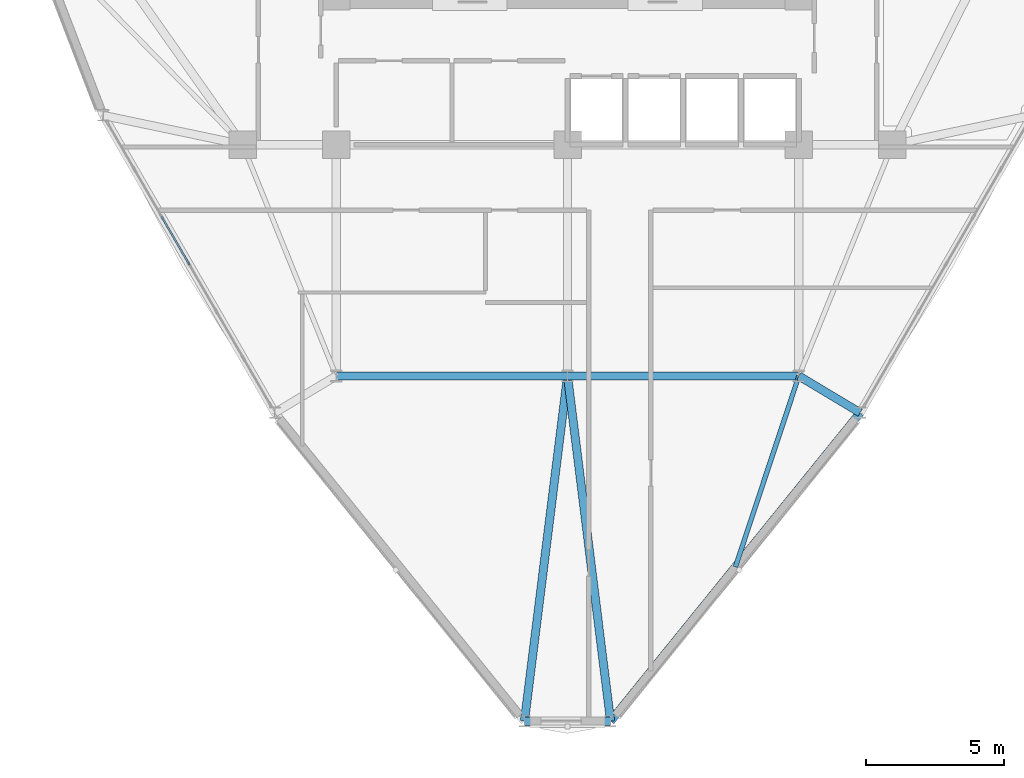
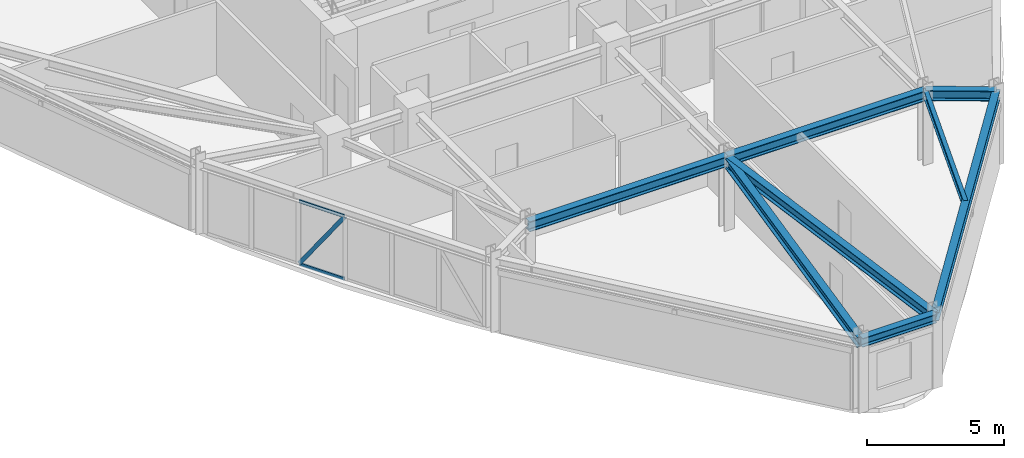
# One storey, part 3 of 14: 8 beams, 3 members, 1 element without a shape of its own.
"""IFC4 building model written with IfcOpenShell, lengths in metres."""

from ifc_helpers import new_model, si_unit, derived_unit, direction, frame, origin, origin_2d, place, context, subcontext, project, spatial, hollow_rectangle, i_section, extrude, source, transform, mapped, material, layer, layer_set, material_profile, profile_set, type_object, element, aggregate, save


model = new_model("IFC4")

# Units and contexts
model_context = context("Model", 3, precision=1e-05, world=origin(), true_north=direction((0.0, 1.0)))
body_context = subcontext(model_context, "Body", "Model", "MODEL_VIEW")
ifc_project = project(units=[si_unit("LENGTHUNIT", "METRE"), si_unit("AREAUNIT", "SQUARE_METRE"), si_unit("VOLUMEUNIT", "CUBIC_METRE"), si_unit("PLANEANGLEUNIT", "RADIAN"), si_unit("MASSUNIT", "GRAM", prefix="KILO"), derived_unit("THERMALTRANSMITTANCEUNIT", [(si_unit("POWERUNIT", "WATT"), 1), (si_unit("LENGTHUNIT", "METRE"), -2), (si_unit("THERMODYNAMICTEMPERATUREUNIT", "KELVIN"), -1)])], contexts=[model_context])

# Site, building, storey
site_placement = place(None, origin())
site = spatial("IfcSite", under=ifc_project, at=site_placement, CompositionType="ELEMENT")
building_placement = place(site_placement, origin())
building = spatial("IfcBuilding", under=site, at=building_placement, Name="Korsvarv Bourse and Concert Hall", CompositionType="ELEMENT")
storey_placement = place(building_placement, frame((0.0, 0.0, 197.39990234375)))
storey = spatial("IfcBuildingStorey", under=building, at=storey_placement, Name="L51", CompositionType="ELEMENT", Elevation=197.39990234375)

# Beams
ifc_material_1 = material(Name="Steel S355", Category="steel")
ifc_material_profile_1 = material_profile(ifc_material_1, i_section(OverallWidth=0.300048828125, OverallDepth=0.449951171875, WebThickness=0.013916015625, FlangeThickness=0.02587890625, FilletRadius=0.02099609375, at=origin_2d()), Name="HEB 450")
ifc_profile_set_1 = profile_set([ifc_material_profile_1], Name="Steel S355")
beam_type_1 = type_object("IfcBeamType", Name="BM-HEB450", PredefinedType="SPANDREL", material=ifc_profile_set_1)
shared_shape_1 = source(origin(), body_context, "Body", "SweptSolid", [
    extrude(i_section(OverallWidth=0.300048828125, OverallDepth=0.449951171875, WebThickness=0.013916015625, FlangeThickness=0.02587890625, FilletRadius=0.02099609375, at=origin_2d()), origin(), (0.0, 0.0, 1.0), 8.39990234375),
])
for number, where, z_axis, x_axis, name in (
    (1, (27.60009765625, 24.0, 3.03515625), (1.0, 0.0, 0.0), (0.0, 1.0, 0.0), "L51 beam B-08"),
    (2, (36.0, 24.0, 3.03515625), (1.0, 0.0, 0.0), (0.0, 1.0, 0.0), "L51 beam B-08"),
):
    element("IfcBeam", number, at=place(storey_placement, frame(where, z_axis=z_axis, x_axis=x_axis)), inside=storey, type_object=beam_type_1, Name=name, PredefinedType="SPANDREL", context=body_context, shape_type="MappedRepresentation", body=[
        mapped(shared_shape_1, transform((0.0, 0.0, 0.0), scale=1.0)),
    ])
ifc_material_profile_2 = material_profile(ifc_material_1, i_section(OverallWidth=0.300048828125, OverallDepth=0.389892578125, WebThickness=0.010986328125, FlangeThickness=0.01904296875, FilletRadius=0.02099609375, at=origin_2d()), Name="HEA 400")
ifc_profile_set_2 = profile_set([ifc_material_profile_2], Name="Steel S355")
beam_type_2 = type_object("IfcBeamType", Name="BM-HEA400", PredefinedType="BEAM", material=ifc_profile_set_2)
shared_shape_2 = source(origin(), body_context, "Body", "SweptSolid", [
    extrude(i_section(OverallWidth=0.300048828125, OverallDepth=0.389892578125, WebThickness=0.010986328125, FlangeThickness=0.01904296875, FilletRadius=0.02099609375, at=origin_2d()), origin(), (0.0, 0.0, 1.0), 3.12939453125),
])
beam_1_placement = place(storey_placement, frame((34.435302734375, 11.465087890625, 3.065185546875), z_axis=(1.0, 0.0, 0.0), x_axis=(0.0, 1.0, 0.0)))
element("IfcBeam", 3, at=beam_1_placement, inside=storey, type_object=beam_type_2, Name="L51 beam B-11", PredefinedType="BEAM", context=body_context, shape_type="MappedRepresentation", body=[
    mapped(shared_shape_2, transform((0.0, 0.0, 0.0), scale=1.0)),
])
shared_shape_3 = source(origin(), body_context, "Body", "SweptSolid", [
    extrude(i_section(OverallWidth=0.300048828125, OverallDepth=0.389892578125, WebThickness=0.010986328125, FlangeThickness=0.01904296875, FilletRadius=0.02099609375, at=origin_2d()), origin(), (0.0, 0.0, 1.0), 14.408935546875),
])
beam_2_placement = place(storey_placement, frame((37.564697265625, 11.465087890625, 3.065185546875), z_axis=(0.629063691989, 0.777353762081, 0.0), x_axis=(-0.777353762081, 0.629063691989, 0.0)))
element("IfcBeam", 4, at=beam_2_placement, inside=storey, type_object=beam_type_2, Name="L51 beam B-11", PredefinedType="BEAM", context=body_context, shape_type="MappedRepresentation", body=[
    mapped(shared_shape_3, transform((0.0, 0.0, 0.0), scale=1.0)),
])
shared_shape_4 = source(origin(), body_context, "Body", "SweptSolid", [
    extrude(i_section(OverallWidth=0.300048828125, OverallDepth=0.449951171875, WebThickness=0.013916015625, FlangeThickness=0.02587890625, FilletRadius=0.02099609375, at=origin_2d()), origin(), (0.0, 0.0, 1.0), 2.59765625),
])
beam_3_placement = place(storey_placement, frame((46.62890625, 22.666015625, 3.03515625), z_axis=(-0.858072868624, 0.513527946787, 0.0), x_axis=(-0.513527946787, -0.858072868624, 0.0)))
element("IfcBeam", 5, at=beam_3_placement, inside=storey, type_object=beam_type_1, Name="L51 beam B-08", PredefinedType="SPANDREL", context=body_context, shape_type="MappedRepresentation", body=[
    mapped(shared_shape_4, transform((0.0, 0.0, 0.0), scale=1.0)),
])
shared_shape_5 = source(origin(), body_context, "Body", "SweptSolid", [
    extrude(i_section(OverallWidth=0.300048828125, OverallDepth=0.449951171875, WebThickness=0.013916015625, FlangeThickness=0.02587890625, FilletRadius=0.02099609375, at=origin_2d()), origin(), (0.0, 0.0, 1.0), 12.632080078125),
])
for number, where, z_axis, x_axis, name in (
    (6, (34.435302734375, 11.465087890625, 3.03515625), (0.12386584577, 0.992298973219, 0.0), (-0.992298973219, 0.12386584577, 0.0), "L51 beam B-08"),
    (7, (37.564697265625, 11.465087890625, 3.03515625), (-0.12386584577, 0.992298973219, 0.0), (-0.992298973219, -0.12386584577, 0.0), "L51 beam B-08"),
):
    element("IfcBeam", number, at=place(storey_placement, frame(where, z_axis=z_axis, x_axis=x_axis)), inside=storey, type_object=beam_type_1, Name=name, PredefinedType="SPANDREL", context=body_context, shape_type="MappedRepresentation", body=[
        mapped(shared_shape_5, transform((0.0, 0.0, 0.0), scale=1.0)),
    ])
ifc_material_profile_3 = material_profile(ifc_material_1, i_section(OverallWidth=0.169921875, OverallDepth=0.360107421875, WebThickness=0.008056640625, FlangeThickness=0.0126953125, FilletRadius=0.01806640625, at=origin_2d()), Name="IPE 360")
ifc_profile_set_3 = profile_set([ifc_material_profile_3], Name="Steel S355")
beam_type_3 = type_object("IfcBeamType", Name="BM-IPE360", PredefinedType="JOIST", material=ifc_profile_set_3)
shared_shape_6 = source(origin(), body_context, "Body", "SweptSolid", [
    extrude(i_section(OverallWidth=0.169921875, OverallDepth=0.360107421875, WebThickness=0.008056640625, FlangeThickness=0.0126953125, FilletRadius=0.01806640625, at=origin_2d()), origin(), (0.0, 0.0, 1.0), 7.306884765625),
])
beam_4_placement = place(storey_placement, frame((42.0966796875, 17.065673828125, 3.080078125), z_axis=(0.315215181878, 0.949020225872, 0.0), x_axis=(-0.949020225872, 0.315215181878, 0.0)))
element("IfcBeam", 8, at=beam_4_placement, inside=storey, type_object=beam_type_3, Name="L51 beam J-06", PredefinedType="JOIST", context=body_context, shape_type="MappedRepresentation", body=[
    mapped(shared_shape_6, transform((0.0, 0.0, 0.0), scale=1.0)),
])

# Curtain wall, members
ifc_material_2 = material(Name="Anodised aluminium and triple low-E glazing", Category="glass")
ifc_layer = layer(ifc_material_2, 0.199951171875)
ifc_layer_set = layer_set([ifc_layer], Name="Anodised aluminium and triple low-E glazing")
curtain_wall_type = type_object("IfcCurtainWallType", Name="CW-SYS-3", PredefinedType="NOTDEFINED", material=ifc_layer_set)
curtain_wall_placement = place(storey_placement, origin())
curtain_wall = element("IfcCurtainWall", 9, at=curtain_wall_placement, inside=storey, type_object=curtain_wall_type, Name="L51 CW3 curtain wall CW-L51-F07", PredefinedType="NOTDEFINED")
ifc_material_3 = material(Name="Extruded aluminium EN AW-6063 T66", Category="aluminium")
ifc_material_profile_4 = material_profile(ifc_material_3, hollow_rectangle(XDim=0.06494140625, YDim=0.139892578125, WallThickness=0.00390625, at=origin_2d()), Name="ALU-T 65x140")
ifc_profile_set_4 = profile_set([ifc_material_profile_4], Name="Extruded aluminium EN AW-6063 T66")
member_type_1 = type_object("IfcMemberType", Name="CWT-140", PredefinedType="USERDEFINED", material=ifc_profile_set_4)
shared_shape_7 = source(origin(), body_context, "Body", "SweptSolid", [
    extrude(hollow_rectangle(XDim=0.06494140625, YDim=0.139892578125, WallThickness=0.00390625, at=origin_2d()), origin(), (0.0, 0.0, 1.0), 1.908203125),
])
member_1_placement = place(storey_placement, frame((21.282958984375, 29.7470703125, 0.03271484375), z_axis=(0.499991942392, -0.866030055796, 0.0), x_axis=(0.866030055796, 0.499991942392, 0.0)))
member_1 = element("IfcMember", 10, at=member_1_placement, type_object=member_type_1, Name="CW3 transom 3.1", ObjectType="TRANSOM", PredefinedType="USERDEFINED", context=body_context, shape_type="MappedRepresentation", body=[
    mapped(shared_shape_7, transform((0.0, 0.0, 0.0), scale=1.0)),
])
member_2_placement = place(storey_placement, frame((21.282958984375, 29.7470703125, 2.837646484375), z_axis=(0.499991942392, -0.866030055796, 0.0), x_axis=(0.866030055796, 0.499991942392, 0.0)))
member_2 = element("IfcMember", 11, at=member_2_placement, type_object=member_type_1, Name="CW3 transom 3.2", ObjectType="TRANSOM", PredefinedType="USERDEFINED", context=body_context, shape_type="MappedRepresentation", body=[
    mapped(shared_shape_7, transform((0.0, 0.0, 0.0), scale=1.0)),
])
ifc_material_profile_5 = material_profile(ifc_material_3, hollow_rectangle(XDim=0.06494140625, YDim=0.1650390625, WallThickness=0.0048828125, at=origin_2d()), Name="ALU-M 65x165")
ifc_profile_set_5 = profile_set([ifc_material_profile_5], Name="Extruded aluminium EN AW-6063 T66")
member_type_2 = type_object("IfcMemberType", Name="CWM-165", PredefinedType="MULLION", material=ifc_profile_set_5)
shared_shape_8 = source(origin(), body_context, "Body", "SweptSolid", [
    extrude(hollow_rectangle(XDim=0.06494140625, YDim=0.1650390625, WallThickness=0.0048828125, at=origin_2d()), origin(), (0.0, 0.0, 1.0), 3.339111328125),
])
member_3_placement = place(storey_placement, frame((21.282958984375, 29.7470703125, 0.065185546875), z_axis=(0.285744933267, -0.494935376991, 0.820602708815), x_axis=(0.866030055796, 0.499991942392, 0.0)))
member_3 = element("IfcMember", 12, at=member_3_placement, type_object=member_type_2, Name="CW3 diagonal mullion 3", PredefinedType="MULLION", context=body_context, shape_type="MappedRepresentation", body=[
    mapped(shared_shape_8, transform((0.0, 0.0, 0.0), scale=1.0)),
])
aggregate(curtain_wall, [member_1, member_2, member_3])

save(model, "model.ifc")
